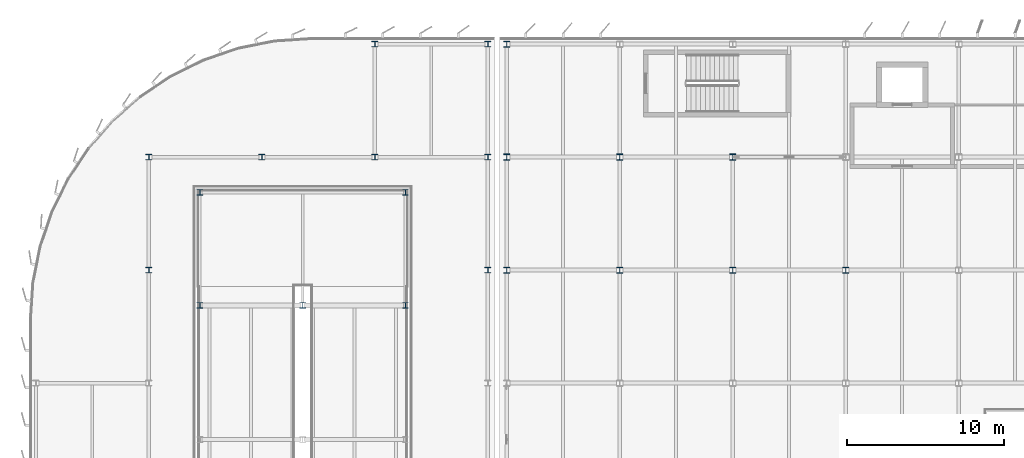
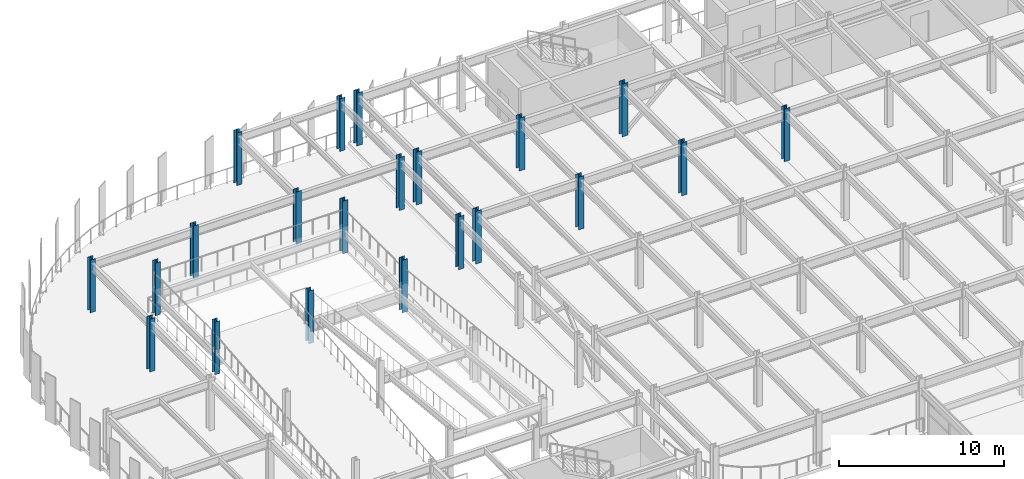
# One storey, part 4 of 93: 21 columns.
"""IFC4 building model written with IfcOpenShell, lengths in metres."""

from ifc_helpers import new_model, si_unit, direction, frame, origin, origin_2d, place, context, subcontext, project, spatial, i_section, extrude, material, material_profile, profile_set, type_object, element, save


model = new_model("IFC4")

# Units and contexts
model_context = context("Model", 3, precision=1e-05, world=origin(), true_north=direction((0.0, 1.0)))
body_context = subcontext(model_context, "Body", "Model", "MODEL_VIEW")
ifc_project = project(units=[si_unit("LENGTHUNIT", "METRE"), si_unit("AREAUNIT", "SQUARE_METRE"), si_unit("VOLUMEUNIT", "CUBIC_METRE"), si_unit("PLANEANGLEUNIT", "RADIAN"), si_unit("MASSUNIT", "GRAM", prefix="KILO")], contexts=[model_context])

# Site, building, storey
site_placement = place(None, origin())
site = spatial("IfcSite", under=ifc_project, at=site_placement, CompositionType="ELEMENT")
building_placement = place(site_placement, origin())
building = spatial("IfcBuilding", under=site, at=building_placement, Name="Vaelcorin Mobility Hub", CompositionType="ELEMENT")
storey_placement = place(building_placement, frame((0.0, 0.0, 5.39990234375)))
storey = spatial("IfcBuildingStorey", under=building, at=storey_placement, Name="L01", CompositionType="ELEMENT", Elevation=5.39990234375)

# Columns
ifc_material = material(Name="Steel ASTM A992 Grade 50", Category="steel")
ifc_material_profile_1 = material_profile(ifc_material, i_section(OverallWidth=0.37109375, OverallDepth=0.363037109375, WebThickness=0.01318359375, FlangeThickness=0.021728515625, FilletRadius=0.014892578125, at=origin_2d()), Name="W14X109")
ifc_profile_set_1 = profile_set([ifc_material_profile_1], Name="Steel ASTM A992 Grade 50")
column_type_1 = type_object("IfcColumnType", Name="COL-W14X109", PredefinedType="COLUMN", material=ifc_profile_set_1)
for number, where, z_axis, x_axis, name in (
    (1, (16.449951171875, 103.35009765625, 0.0), (0.0, 0.0, 1.0), (1.0, 0.0, 0.0), "Column V2W-RDRM-WN L01"),
    (2, (23.0, 103.35009765625, 0.0), (0.0, 0.0, 1.0), (1.0, 0.0, 0.0), "Column V2W-RDRM-MN L01"),
    (3, (29.550048828125, 103.35009765625, 0.0), (0.0, 0.0, 1.0), (1.0, 0.0, 0.0), "Column V2W-RDRM-EN L01"),
    (4, (16.449951171875, 110.550048828125, 0.0), (0.0, 0.0, 1.0), (1.0, 0.0, 0.0), "Column V2W-RDRM-WB L01"),
    (5, (29.550048828125, 110.550048828125, 0.0), (0.0, 0.0, 1.0), (1.0, 0.0, 0.0), "Column V2W-RDRM-EB L01"),
):
    element("IfcColumn", number, at=place(storey_placement, frame(where, z_axis=z_axis, x_axis=x_axis)), inside=storey, type_object=column_type_1, Name=name, PredefinedType="COLUMN", context=body_context, shape_type="SweptSolid", body=[
        extrude(i_section(OverallWidth=0.37109375, OverallDepth=0.363037109375, WebThickness=0.01318359375, FlangeThickness=0.021728515625, FilletRadius=0.014892578125, at=origin_2d()), origin(), (0.0, 0.0, 1.0), 3.900146484375),
    ])
ifc_material_profile_2 = material_profile(ifc_material, i_section(OverallWidth=0.373046875, OverallDepth=0.373046875, WebThickness=0.016357421875, FlangeThickness=0.026123046875, FilletRadius=0.014892578125, at=origin_2d()), Name="W14X132")
ifc_profile_set_2 = profile_set([ifc_material_profile_2], Name="Steel ASTM A992 Grade 50")
column_type_2 = type_object("IfcColumnType", Name="COL-W14X132", PredefinedType="COLUMN", material=ifc_profile_set_2)
for number, where, z_axis, x_axis, name in (
    (6, (13.199951171875, 105.60009765625, 0.0), (0.0, 0.0, 1.0), (1.0, 0.0, 0.0), "Column V2W-G2x5 L01"),
    (7, (13.199951171875, 112.800048828125, 0.0), (0.0, 0.0, 1.0), (1.0, 0.0, 0.0), "Column V2W-G2x6 L01"),
    (8, (20.39990234375, 112.800048828125, 0.0), (0.0, 0.0, 1.0), (1.0, 0.0, 0.0), "Column V2W-G3x6 L01"),
    (9, (27.60009765625, 112.800048828125, 0.0), (0.0, 0.0, 1.0), (1.0, 0.0, 0.0), "Column V2W-G4x6 L01"),
    (10, (27.60009765625, 120.0, 0.0), (0.0, 0.0, 1.0), (1.0, 0.0, 0.0), "Column V2W-G4x7 L01"),
    (11, (34.800048828125, 105.60009765625, 0.0), (0.0, 0.0, 1.0), (1.0, 0.0, 0.0), "Column V2W-G5x5 L01"),
    (12, (34.800048828125, 112.800048828125, 0.0), (0.0, 0.0, 1.0), (1.0, 0.0, 0.0), "Column V2W-G5x6 L01"),
    (13, (34.800048828125, 120.0, 0.0), (0.0, 0.0, 1.0), (1.0, 0.0, 0.0), "Column V2W-G5x7 L01"),
):
    element("IfcColumn", number, at=place(storey_placement, frame(where, z_axis=z_axis, x_axis=x_axis)), inside=storey, type_object=column_type_2, Name=name, PredefinedType="COLUMN", context=body_context, shape_type="SweptSolid", body=[
        extrude(i_section(OverallWidth=0.373046875, OverallDepth=0.373046875, WebThickness=0.016357421875, FlangeThickness=0.026123046875, FilletRadius=0.014892578125, at=origin_2d()), origin(), (0.0, 0.0, 1.0), 3.900146484375),
    ])
ifc_material_profile_3 = material_profile(ifc_material, i_section(OverallWidth=0.39599609375, OverallDepth=0.381103515625, WebThickness=0.018798828125, FlangeThickness=0.0302734375, FilletRadius=0.014892578125, at=origin_2d()), Name="W14X159")
ifc_profile_set_3 = profile_set([ifc_material_profile_3], Name="Steel ASTM A992 Grade 50")
column_type_3 = type_object("IfcColumnType", Name="COL-W14X159", PredefinedType="COLUMN", material=ifc_profile_set_3)
for number, where, z_axis, x_axis, name in (
    (14, (36.0, 105.60009765625, 0.0), (0.0, 0.0, 1.0), (1.0, 0.0, 0.0), "Column V4-X01Y05 L01"),
    (15, (36.0, 120.0, 0.0), (0.0, 0.0, 1.0), (1.0, 0.0, 0.0), "Column V4-X01Y07 L01"),
    (16, (43.199951171875, 105.60009765625, 0.0), (0.0, 0.0, 1.0), (1.0, 0.0, 0.0), "Column V4-X02Y05 L01"),
    (17, (50.39990234375, 105.60009765625, 0.0), (0.0, 0.0, 1.0), (1.0, 0.0, 0.0), "Column V4-X03Y05 L01"),
    (18, (57.60009765625, 105.60009765625, 0.0), (0.0, 0.0, 1.0), (1.0, 0.0, 0.0), "Column V4-X04Y05 L01"),
):
    element("IfcColumn", number, at=place(storey_placement, frame(where, z_axis=z_axis, x_axis=x_axis)), inside=storey, type_object=column_type_3, Name=name, PredefinedType="COLUMN", context=body_context, shape_type="SweptSolid", body=[
        extrude(i_section(OverallWidth=0.39599609375, OverallDepth=0.381103515625, WebThickness=0.018798828125, FlangeThickness=0.0302734375, FilletRadius=0.014892578125, at=origin_2d()), origin(), (0.0, 0.0, 1.0), 3.900146484375),
    ])
ifc_material_profile_4 = material_profile(ifc_material, i_section(OverallWidth=0.39892578125, OverallDepth=0.39404296875, WebThickness=0.022705078125, FlangeThickness=0.03662109375, FilletRadius=0.014892578125, at=origin_2d()), Name="W14X193")
ifc_profile_set_4 = profile_set([ifc_material_profile_4], Name="Steel ASTM A992 Grade 50")
column_type_4 = type_object("IfcColumnType", Name="COL-W14X193", PredefinedType="COLUMN", material=ifc_profile_set_4)
for number, where, z_axis, x_axis, name in (
    (19, (36.0, 112.800048828125, 0.0), (0.0, 0.0, 1.0), (1.0, 0.0, 0.0), "Column V4-X01Y06 L01"),
    (20, (43.199951171875, 112.800048828125, 0.0), (0.0, 0.0, 1.0), (1.0, 0.0, 0.0), "Column V4-X02Y06 L01"),
    (21, (50.39990234375, 112.800048828125, 0.0), (0.0, 0.0, 1.0), (1.0, 0.0, 0.0), "Column V4-X03Y06 L01"),
):
    element("IfcColumn", number, at=place(storey_placement, frame(where, z_axis=z_axis, x_axis=x_axis)), inside=storey, type_object=column_type_4, Name=name, PredefinedType="COLUMN", context=body_context, shape_type="SweptSolid", body=[
        extrude(i_section(OverallWidth=0.39892578125, OverallDepth=0.39404296875, WebThickness=0.022705078125, FlangeThickness=0.03662109375, FilletRadius=0.014892578125, at=origin_2d()), origin(), (0.0, 0.0, 1.0), 3.900146484375),
    ])

save(model, "model.ifc")
